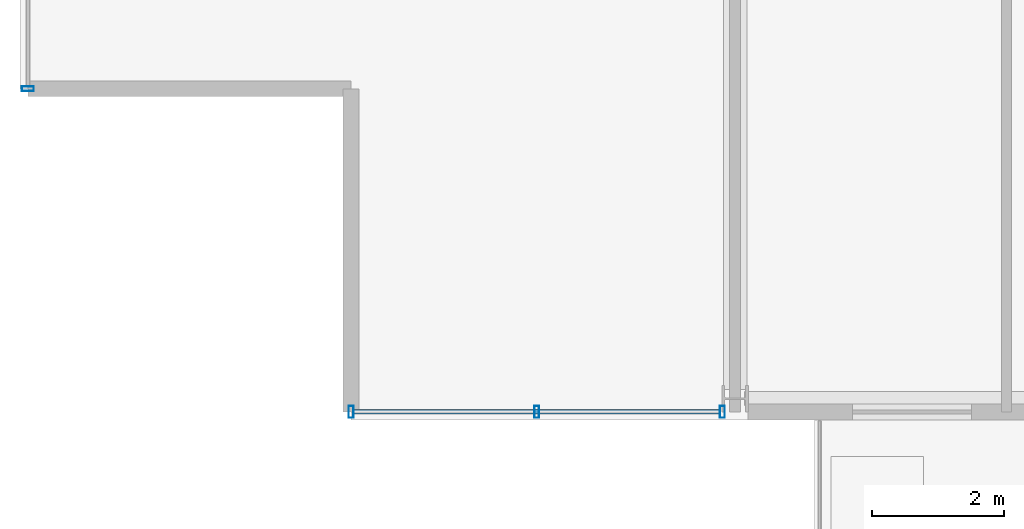
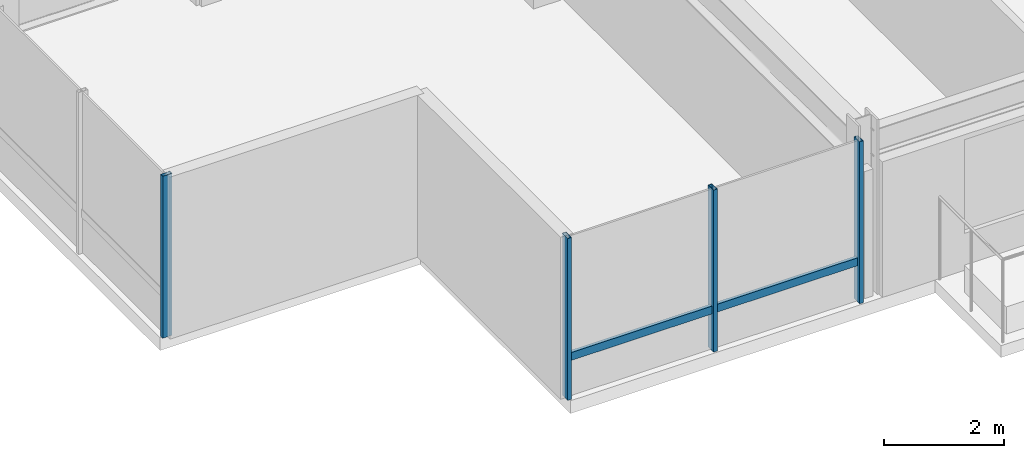
# One storey, part 2 of 32: 5 members, 2 elements without a shape of their own.
"""IFC4 building model written with IfcOpenShell, lengths in metres."""

from ifc_helpers import new_model, si_unit, direction, frame, origin, origin_2d, place, context, subcontext, project, spatial, hollow_rectangle, extrude, material, layer, layer_set, material_profile, profile_set, type_object, element, aggregate, save


model = new_model("IFC4")

# Units and contexts
model_context = context("Model", 3, precision=1e-05, world=origin(), true_north=direction((0.0, 1.0)))
body_context = subcontext(model_context, "Body", "Model", "MODEL_VIEW")
ifc_project = project(units=[si_unit("LENGTHUNIT", "METRE"), si_unit("AREAUNIT", "SQUARE_METRE"), si_unit("VOLUMEUNIT", "CUBIC_METRE"), si_unit("PLANEANGLEUNIT", "RADIAN"), si_unit("MASSUNIT", "GRAM", prefix="KILO")], contexts=[model_context])

# Site, building, storey
site_placement = place(None, origin())
site = spatial("IfcSite", under=ifc_project, at=site_placement, CompositionType="ELEMENT")
building_placement = place(site_placement, origin())
building = spatial("IfcBuilding", under=site, at=building_placement, Name="Drelvath Grand Hotel", CompositionType="ELEMENT")
storey_placement = place(building_placement, frame((0.0, 0.0, 193.0)))
storey = spatial("IfcBuildingStorey", under=building, at=storey_placement, Name="L50", CompositionType="ELEMENT", Elevation=193.0)

# Curtain wall, member
ifc_material = material(Name="Brushed Pale-Silver Anodised Aluminium Frame", Category="aluminium")
ifc_layer = layer(ifc_material, 0.199951171875)
ifc_layer_set = layer_set([ifc_layer], Name="Brushed Pale-Silver Anodised Aluminium Frame")
curtain_wall_type = type_object("IfcCurtainWallType", Name="Stick Curtain Wall CW-04 Brushed Silver Upper-Mid", PredefinedType="NOTDEFINED", material=ifc_layer_set)
curtain_wall_1_placement = place(storey_placement, origin())
curtain_wall_1 = element("IfcCurtainWall", 1, at=curtain_wall_1_placement, inside=storey, type_object=curtain_wall_type, Name="L50 CW-04 Curtain Wall CW04-L50-SW1", PredefinedType="NOTDEFINED")
ifc_material_profile_1 = material_profile(ifc_material, hollow_rectangle(XDim=0.06494140625, YDim=0.159912109375, WallThickness=0.00390625, at=origin_2d()), Name="HSS160X65X4")
ifc_profile_set_1 = profile_set([ifc_material_profile_1], Name="Brushed Pale-Silver Anodised Aluminium Frame")
member_type_1 = type_object("IfcMemberType", Name="Curtain Wall Horizontal Transom CW-04 HSS160X65X4", PredefinedType="USERDEFINED", material=ifc_profile_set_1)
member_1_placement = place(storey_placement, frame((-16.431640625, 0.1201171875, 0.822509765625), z_axis=(-1.0, 0.0, 0.0), x_axis=(0.0, -1.0, 0.0)))
member_1 = element("IfcMember", 2, at=member_1_placement, type_object=member_type_1, Name="CW04-L50-SW1 Sill Transom", ObjectType="TRANSOM", PredefinedType="USERDEFINED", context=body_context, shape_type="SweptSolid", body=[
    extrude(hollow_rectangle(XDim=0.06494140625, YDim=0.159912109375, WallThickness=0.00390625, at=origin_2d()), origin(), (0.0, 0.0, 1.0), 5.5283203125),
])

curtain_wall_2_placement = place(storey_placement, origin())
curtain_wall_2 = element("IfcCurtainWall", 3, at=curtain_wall_2_placement, inside=storey, type_object=curtain_wall_type, Name="L50 CW-04 Curtain Wall CW04-L50-WS1", PredefinedType="NOTDEFINED")
ifc_material_profile_2 = material_profile(ifc_material, hollow_rectangle(XDim=0.074951171875, YDim=0.179931640625, WallThickness=0.0048828125, at=origin_2d()), Name="HSS180X75X5")
ifc_profile_set_2 = profile_set([ifc_material_profile_2], Name="Brushed Pale-Silver Anodised Aluminium Frame")
member_type_2 = type_object("IfcMemberType", Name="Curtain Wall Vertical Mullion CW-04 HSS180X75X5", PredefinedType="MULLION", material=ifc_profile_set_2)
member_2_placement = place(storey_placement, frame((-26.8798828125, 5.0, 0.0), z_axis=(0.0, 0.0, 1.0), x_axis=(0.0, 1.0, 0.0)))
member_2 = element("IfcMember", 4, at=member_2_placement, type_object=member_type_2, Name="CW04-L50-WS1 Mullion 1", PredefinedType="MULLION", context=body_context, shape_type="SweptSolid", body=[
    extrude(hollow_rectangle(XDim=0.074951171875, YDim=0.179931640625, WallThickness=0.0048828125, at=origin_2d()), origin(), (0.0, 0.0, 1.0), 3.2900390625),
])
aggregate(curtain_wall_2, [member_2])

# Member
member_3_placement = place(storey_placement, frame((-16.3916015625, 0.1201171875, 0.0), z_axis=(0.0, 0.0, 1.0), x_axis=(1.0, 0.0, 0.0)))
member_3 = element("IfcMember", 5, at=member_3_placement, type_object=member_type_2, Name="CW04-L50-SW1 Mullion 1", PredefinedType="MULLION", context=body_context, shape_type="SweptSolid", body=[
    extrude(hollow_rectangle(XDim=0.074951171875, YDim=0.179931640625, WallThickness=0.0048828125, at=origin_2d()), origin(), (0.0, 0.0, 1.0), 3.2900390625),
])

member_4_placement = place(storey_placement, frame((-19.19580078125, 0.1201171875, 0.0), z_axis=(0.0, 0.0, 1.0), x_axis=(1.0, 0.0, 0.0)))
member_4 = element("IfcMember", 6, at=member_4_placement, type_object=member_type_2, Name="CW04-L50-SW1 Mullion 2", PredefinedType="MULLION", context=body_context, shape_type="SweptSolid", body=[
    extrude(hollow_rectangle(XDim=0.074951171875, YDim=0.179931640625, WallThickness=0.0048828125, at=origin_2d()), origin(), (0.0, 0.0, 1.0), 3.2900390625),
])

member_5_placement = place(storey_placement, frame((-22.0, 0.1201171875, 0.0), z_axis=(0.0, 0.0, 1.0), x_axis=(1.0, 0.0, 0.0)))
member_5 = element("IfcMember", 7, at=member_5_placement, type_object=member_type_2, Name="CW04-L50-SW1 Mullion 3", PredefinedType="MULLION", context=body_context, shape_type="SweptSolid", body=[
    extrude(hollow_rectangle(XDim=0.074951171875, YDim=0.179931640625, WallThickness=0.0048828125, at=origin_2d()), origin(), (0.0, 0.0, 1.0), 3.2900390625),
])

aggregate(curtain_wall_1, [member_3, member_4, member_5, member_1])

save(model, "model.ifc")
